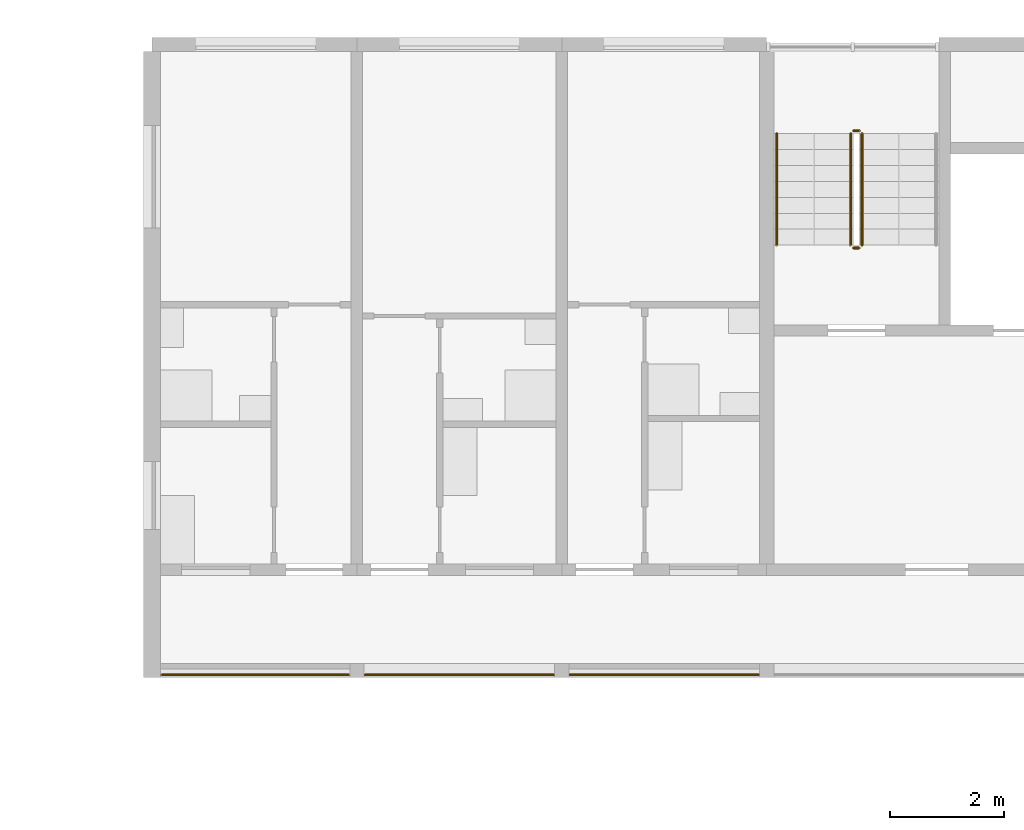
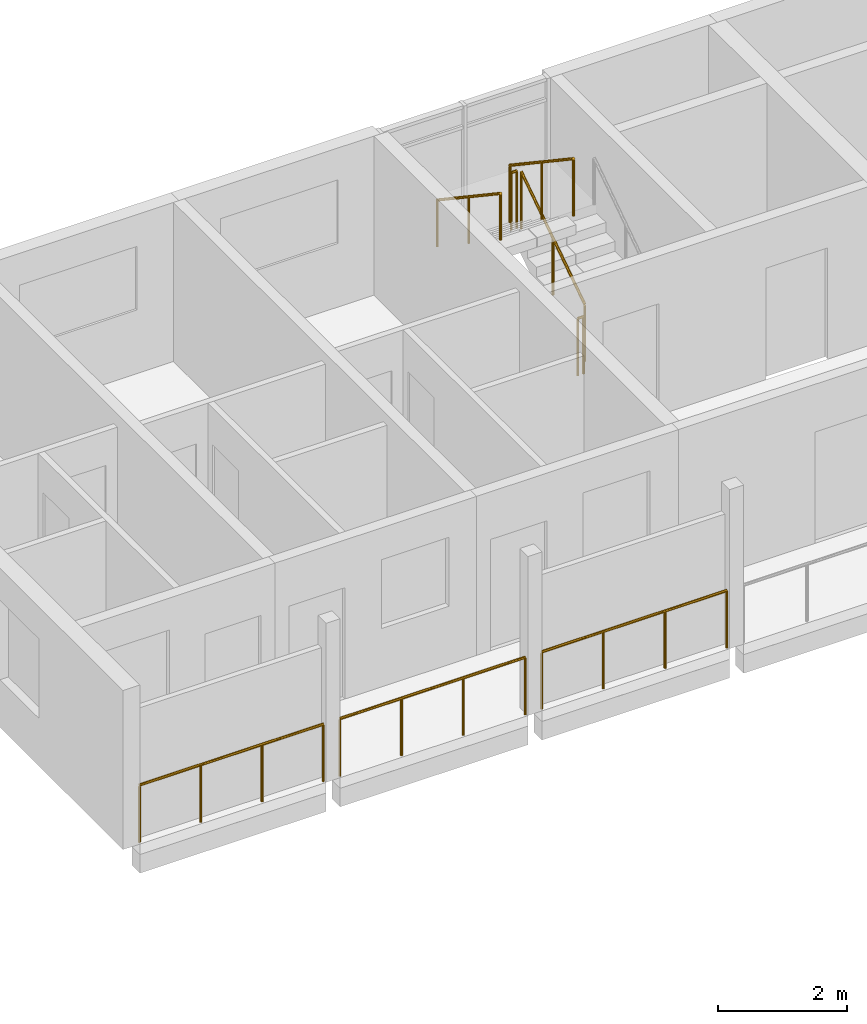
# One storey, part 77 of 94: 8 railings.
"""IFC4 building model written with IfcOpenShell, lengths in metres."""

from ifc_helpers import new_model, si_unit, direction, frame, origin, origin_2d, place, context, subcontext, project, spatial, circle, extrude, material, type_object, element, save


model = new_model("IFC4")

# Units and contexts
model_context = context("Model", 3, precision=1e-05, world=origin(), true_north=direction((0.0, 1.0)))
body_context = subcontext(model_context, "Body", "Model", "MODEL_VIEW")
ifc_project = project(units=[si_unit("LENGTHUNIT", "METRE"), si_unit("AREAUNIT", "SQUARE_METRE"), si_unit("VOLUMEUNIT", "CUBIC_METRE"), si_unit("PLANEANGLEUNIT", "RADIAN"), si_unit("MASSUNIT", "GRAM", prefix="KILO")], contexts=[model_context])

# Site, building, storey
site_placement = place(None, origin())
site = spatial("IfcSite", under=ifc_project, at=site_placement, CompositionType="ELEMENT")
building_placement = place(site_placement, origin())
building = spatial("IfcBuilding", under=site, at=building_placement, Name="Ridgestep Commons", CompositionType="ELEMENT")
storey_placement = place(building_placement, frame((0.0, 0.0, 21.0)))
storey = spatial("IfcBuildingStorey", under=building, at=storey_placement, Name="L07", CompositionType="ELEMENT", Elevation=21.0)

# Railings
ifc_material_1 = material(Name="Structural steel S355JR", Category="steel")
railing_type_1 = type_object("IfcRailingType", Name="Guard 1100", PredefinedType="GUARDRAIL", material=ifc_material_1)
railing_1_placement = place(storey_placement, frame((62.571044921875, 66.050048828125, 0.0)))
element("IfcRailing", 1, at=railing_1_placement, inside=storey, type_object=railing_type_1, Name="Gallery guard B 07.1", PredefinedType="GUARDRAIL", context=body_context, shape_type="SweptSolid", body=[
    extrude(circle(Radius=0.02392578125, at=origin_2d()), frame((0.0, 0.0, 1.076171875), z_axis=(1.0, 0.0, 0.0), x_axis=(0.0, 1.0, 0.0)), (0.0, 0.0, 1.0), 3.282958984375),
    extrude(circle(Radius=0.02099609375, at=origin_2d()), origin(), (0.0, 0.0, 1.0), 1.052001953125),
    extrude(circle(Radius=0.02099609375, at=origin_2d()), frame((1.09423828125, 0.0, 0.0)), (0.0, 0.0, 1.0), 1.052001953125),
    extrude(circle(Radius=0.02099609375, at=origin_2d()), frame((2.188720703125, 0.0, 0.0)), (0.0, 0.0, 1.0), 1.052001953125),
    extrude(circle(Radius=0.02099609375, at=origin_2d()), frame((3.282958984375, 0.0, 0.0)), (0.0, 0.0, 1.0), 1.052001953125),
])
railing_2_placement = place(storey_placement, frame((66.14599609375, 66.050048828125, 0.0)))
element("IfcRailing", 2, at=railing_2_placement, inside=storey, type_object=railing_type_1, Name="Gallery guard B 07.2", PredefinedType="GUARDRAIL", context=body_context, shape_type="SweptSolid", body=[
    extrude(circle(Radius=0.02392578125, at=origin_2d()), frame((0.0, 0.0, 1.076171875), z_axis=(1.0, 0.0, 0.0), x_axis=(0.0, 1.0, 0.0)), (0.0, 0.0, 1.0), 3.30810546875),
    extrude(circle(Radius=0.02099609375, at=origin_2d()), origin(), (0.0, 0.0, 1.0), 1.052001953125),
    extrude(circle(Radius=0.02099609375, at=origin_2d()), frame((1.102783203125, 0.0, 0.0)), (0.0, 0.0, 1.0), 1.052001953125),
    extrude(circle(Radius=0.02099609375, at=origin_2d()), frame((2.205322265625, 0.0, 0.0)), (0.0, 0.0, 1.0), 1.052001953125),
    extrude(circle(Radius=0.02099609375, at=origin_2d()), frame((3.30810546875, 0.0, 0.0)), (0.0, 0.0, 1.0), 1.052001953125),
])
railing_3_placement = place(storey_placement, frame((69.74609375, 66.050048828125, 0.0)))
element("IfcRailing", 3, at=railing_3_placement, inside=storey, type_object=railing_type_1, Name="Gallery guard B 07.3", PredefinedType="GUARDRAIL", context=body_context, shape_type="SweptSolid", body=[
    extrude(circle(Radius=0.02392578125, at=origin_2d()), frame((0.0, 0.0, 1.076171875), z_axis=(1.0, 0.0, 0.0), x_axis=(0.0, 1.0, 0.0)), (0.0, 0.0, 1.0), 3.307861328125),
    extrude(circle(Radius=0.02099609375, at=origin_2d()), origin(), (0.0, 0.0, 1.0), 1.052001953125),
    extrude(circle(Radius=0.02099609375, at=origin_2d()), frame((1.1025390625, 0.0, 0.0)), (0.0, 0.0, 1.0), 1.052001953125),
    extrude(circle(Radius=0.02099609375, at=origin_2d()), frame((2.205322265625, 0.0, 0.0)), (0.0, 0.0, 1.0), 1.052001953125),
    extrude(circle(Radius=0.02099609375, at=origin_2d()), frame((3.307861328125, 0.0, 0.0)), (0.0, 0.0, 1.0), 1.052001953125),
])
ifc_material_2 = material(Name="Structural steel S355JR", Category="steel")
railing_type_2 = type_object("IfcRailingType", Name="Stair guard 1100", PredefinedType="GUARDRAIL", material=ifc_material_2)
railing_4_placement = place(storey_placement, frame((74.875, 73.60009765625, 0.1875)))
element("IfcRailing", 4, at=railing_4_placement, inside=storey, type_object=railing_type_2, Name="L07 B4C stair guard 1", PredefinedType="GUARDRAIL", context=body_context, shape_type="SweptSolid", body=[
    extrude(circle(Radius=0.02392578125, at=origin_2d()), frame((0.0, 0.0, 1.076171875), z_axis=(0.0, 0.830902050051, 0.556418712142), x_axis=(-1.0, 0.0, 0.0)), (0.0, 0.0, 1.0), 2.35888671875),
    extrude(circle(Radius=0.02099609375, at=origin_2d()), origin(), (0.0, 0.0, 1.0), 1.052001953125),
    extrude(circle(Radius=0.02099609375, at=origin_2d()), frame((0.0, 0.97998046875, 0.65625)), (0.0, 0.0, 1.0), 1.052001953125),
    extrude(circle(Radius=0.02099609375, at=origin_2d()), frame((0.0, 1.9599609375, 1.3125)), (0.0, 0.0, 1.0), 1.052001953125),
])
railing_5_placement = place(storey_placement, frame((74.824951171875, 75.610107421875, 1.5)))
element("IfcRailing", 5, at=railing_5_placement, inside=storey, type_object=railing_type_2, Name="L07 B4C stair guard 2", PredefinedType="GUARDRAIL", context=body_context, shape_type="SweptSolid", body=[
    extrude(circle(Radius=0.02392578125, at=origin_2d()), frame((0.0, 0.0, 1.076171875), z_axis=(-1.0, 0.0, 0.0), x_axis=(0.0, -1.0, 0.0)), (0.0, 0.0, 1.0), 0.099853515625),
    extrude(circle(Radius=0.02099609375, at=origin_2d()), origin(), (0.0, 0.0, 1.0), 1.052001953125),
    extrude(circle(Radius=0.02099609375, at=origin_2d()), frame((-0.099853515625, 0.0, 0.0)), (0.0, 0.0, 1.0), 1.052001953125),
])
railing_6_placement = place(storey_placement, frame((74.675048828125, 75.56005859375, 1.6875)))
element("IfcRailing", 6, at=railing_6_placement, inside=storey, type_object=railing_type_2, Name="L07 B4C stair guard 3", PredefinedType="GUARDRAIL", context=body_context, shape_type="SweptSolid", body=[
    extrude(circle(Radius=0.02392578125, at=origin_2d()), frame((0.0, 0.0, 1.076171875), z_axis=(0.0, -0.830902050051, 0.556418712142), x_axis=(1.0, 0.0, 0.0)), (0.0, 0.0, 1.0), 2.35888671875),
    extrude(circle(Radius=0.02099609375, at=origin_2d()), origin(), (0.0, 0.0, 1.0), 1.052001953125),
    extrude(circle(Radius=0.02099609375, at=origin_2d()), frame((0.0, -0.97998046875, 0.65625)), (0.0, 0.0, 1.0), 1.052001953125),
    extrude(circle(Radius=0.02099609375, at=origin_2d()), frame((0.0, -1.9599609375, 1.3125)), (0.0, 0.0, 1.0), 1.052001953125),
])
railing_7_placement = place(storey_placement, frame((74.824951171875, 73.550048828125, 0.0)))
element("IfcRailing", 7, at=railing_7_placement, inside=storey, type_object=railing_type_2, Name="L07 B4C stair guard 4", PredefinedType="GUARDRAIL", context=body_context, shape_type="SweptSolid", body=[
    extrude(circle(Radius=0.02392578125, at=origin_2d()), frame((0.0, 0.0, 1.076171875), z_axis=(-1.0, 0.0, 0.0), x_axis=(0.0, -1.0, 0.0)), (0.0, 0.0, 1.0), 0.099853515625),
    extrude(circle(Radius=0.02099609375, at=origin_2d()), origin(), (0.0, 0.0, 1.0), 1.052001953125),
    extrude(circle(Radius=0.02099609375, at=origin_2d()), frame((-0.099853515625, 0.0, 0.0)), (0.0, 0.0, 1.0), 1.052001953125),
])
ifc_material_3 = material(Name="Structural steel S355JR", Category="steel")
railing_type_3 = type_object("IfcRailingType", Name="Stair handrail 900", PredefinedType="HANDRAIL", material=ifc_material_3)
railing_8_placement = place(storey_placement, frame((73.375, 75.56005859375, 1.6875)))
element("IfcRailing", 8, at=railing_8_placement, inside=storey, type_object=railing_type_3, Name="L07 B4C stair handrail 2", PredefinedType="HANDRAIL", context=body_context, shape_type="SweptSolid", body=[
    extrude(circle(Radius=0.02392578125, at=origin_2d()), frame((0.0, 0.0, 0.8759765625), z_axis=(0.0, -0.830902050051, 0.556418712142), x_axis=(1.0, 0.0, 0.0)), (0.0, 0.0, 1.0), 2.35888671875),
    extrude(circle(Radius=0.02099609375, at=origin_2d()), origin(), (0.0, 0.0, 1.0), 0.851806640625),
    extrude(circle(Radius=0.02099609375, at=origin_2d()), frame((0.0, -0.97998046875, 0.65625)), (0.0, 0.0, 1.0), 0.851806640625),
    extrude(circle(Radius=0.02099609375, at=origin_2d()), frame((0.0, -1.9599609375, 1.3125)), (0.0, 0.0, 1.0), 0.851806640625),
])

save(model, "model.ifc")
